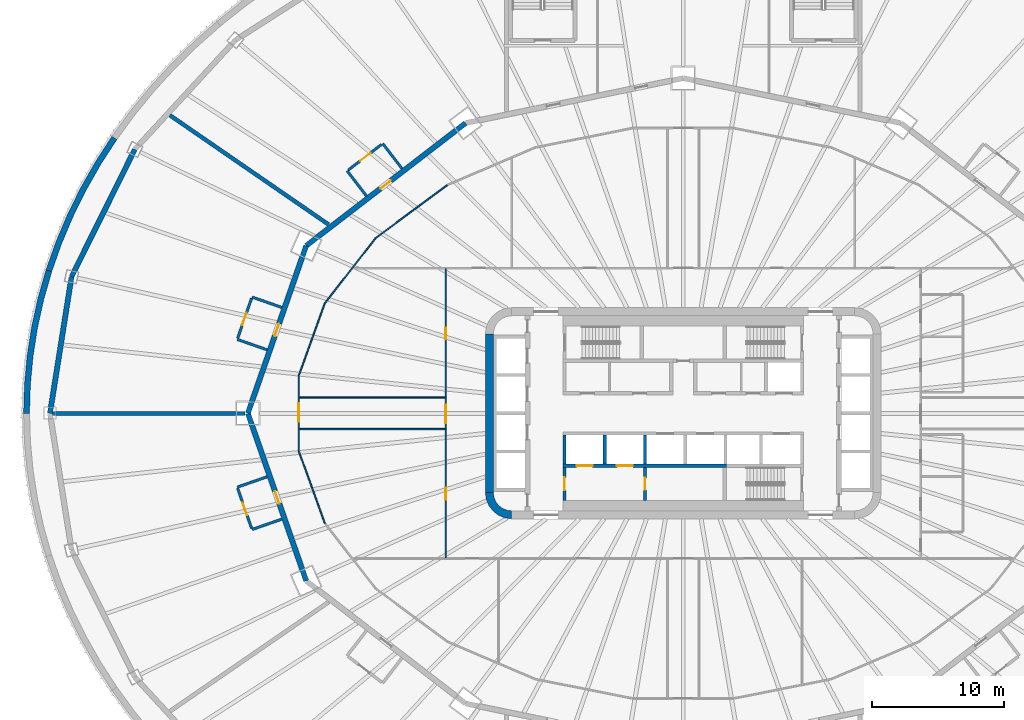
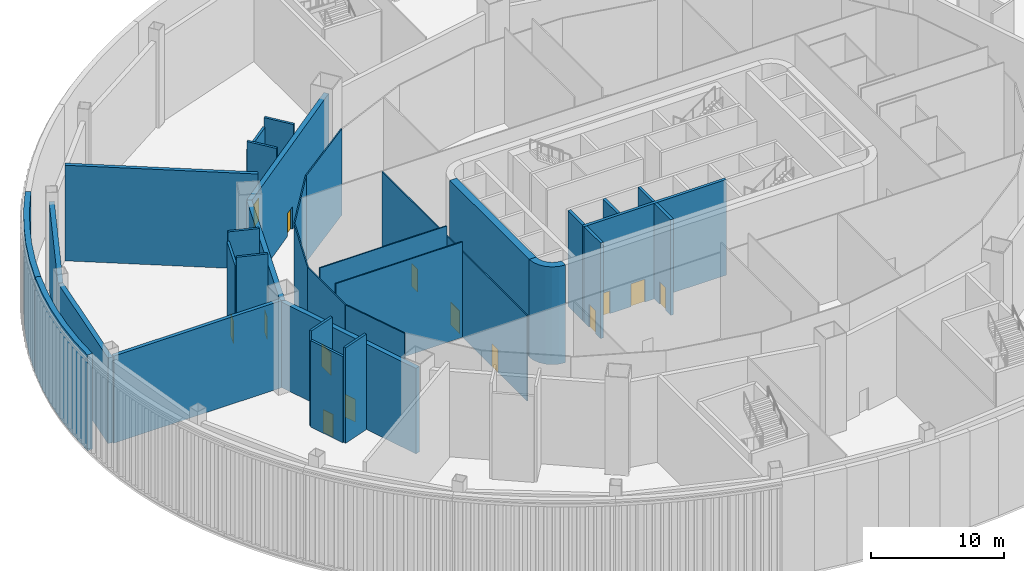
# One storey, part 8 of 35: 34 walls, 14 doors, 14 openings.
"""IFC4 building model written with IfcOpenShell, lengths in metres."""

from ifc_helpers import new_model, si_unit, direction, frame, frame_2d, origin, place, context, subcontext, project, spatial, polyline, rectangle, outline, extrude, material, layer, layer_set, type_object, element, fill, save


model = new_model("IFC4")

# Units and contexts
model_context = context("Model", 3, precision=1e-05, world=origin(), true_north=direction((0.0, 1.0)))
body_context = subcontext(model_context, "Body", "Model", "MODEL_VIEW")
ifc_project = project(units=[si_unit("LENGTHUNIT", "METRE"), si_unit("AREAUNIT", "SQUARE_METRE"), si_unit("VOLUMEUNIT", "CUBIC_METRE"), si_unit("PLANEANGLEUNIT", "RADIAN"), si_unit("MASSUNIT", "GRAM", prefix="KILO")], contexts=[model_context])

# Site, building, storey
site_placement = place(None, origin())
site = spatial("IfcSite", under=ifc_project, at=site_placement, CompositionType="ELEMENT")
building_placement = place(site_placement, origin())
building = spatial("IfcBuilding", under=site, at=building_placement, Name="Sahrelin Media Tower", CompositionType="ELEMENT")
storey_placement = place(building_placement, frame((0.0, 0.0, 8.0)))
storey = spatial("IfcBuildingStorey", under=building, at=storey_placement, Name="L01", CompositionType="ELEMENT", Elevation=8.0)

# Walls
ifc_material_1 = material(Name="Concrete C60/75", Category="concrete")
ifc_layer_1 = layer(ifc_material_1, 0.60009765625)
ifc_layer_set_1 = layer_set([ifc_layer_1], Name="Core wall 600")
wall_type_1 = type_object("IfcWallType", Name="Core wall 600", PredefinedType="SHEAR", material=ifc_layer_set_1)
wall_1_placement = place(storey_placement, frame((-14.699951171875, -6.0, 0.0), z_axis=(0.0, 0.0, 1.0), x_axis=(0.0, 1.0, 0.0)))
element("IfcWall", 1, at=wall_1_placement, inside=storey, type_object=wall_type_1, Name="Core wall W L01", PredefinedType="SHEAR", context=body_context, shape_type="SweptSolid", body=[
    extrude(rectangle(XDim=12.0, YDim=0.60009765625, at=frame_2d((6.0, 0.0))), origin(), (0.0, 0.0, 1.0), 9.0),
])
placement = place(storey_placement, origin())
element("IfcWall", 2, at=placement, inside=storey, type_object=wall_type_1, Name="Core wall corner SW L01", PredefinedType="SHEAR", context=body_context, shape_type="SweptSolid", body=[
    extrude(outline(polyline([(-13.0, -8.0), (-13.0, -7.394775390625), (-13.361083984375, -7.347412109375), (-13.697509765625, -7.2080078125), (-13.986328125, -6.986328125), (-14.2080078125, -6.697509765625), (-14.347412109375, -6.361083984375), (-14.394775390625, -6.0), (-15.0, -6.0), (-14.931884765625, -6.517578125), (-14.732177734375, -7.0), (-14.414306640625, -7.414306640625), (-14.0, -7.732177734375), (-13.517578125, -7.931884765625), (-13.0, -8.0)])), origin(), (0.0, 0.0, 1.0), 9.0),
])
ifc_material_2 = material(Name="Fire-rated gypsum board partition")
ifc_layer_2 = layer(ifc_material_2, 0.199951171875)
ifc_layer_set_2 = layer_set([ifc_layer_2], Name="Fire-rated partition 200")
wall_type_2 = type_object("IfcWallType", Name="Fire-rated partition 200", PredefinedType="PARTITIONING", material=ifc_layer_set_2)
for number, where, z_axis, x_axis, name in (
    (3, (-21.314208984375, 18.5439453125, 0.0), (0.0, 0.0, 1.0), (-0.609946706972, 0.792442436177, 0.0), "Wall"),
    (4, (-24.008544921875, 16.47021484375, 0.0), (0.0, 0.0, 1.0), (-0.609946706972, 0.792442436177, 0.0), "Wall"),
):
    element("IfcWall", number, at=place(storey_placement, frame(where, z_axis=z_axis, x_axis=x_axis)), inside=storey, type_object=wall_type_2, Name=name, PredefinedType="PARTITIONING", context=body_context, shape_type="SweptSolid", body=[
        extrude(rectangle(XDim=2.39990234375, YDim=0.199951171875, at=frame_2d((1.199951171875, 0.0))), origin(), (0.0, 0.0, 1.0), 8.800048828125),
    ])

# Wall, opening, door
wall_3_placement = place(storey_placement, frame((-22.857421875, 20.384765625, 0.0), z_axis=(0.0, 0.0, 1.0), x_axis=(-0.792476481098, -0.609902473274, 0.0)))
wall_3 = element("IfcWall", 5, at=wall_3_placement, inside=storey, type_object=wall_type_2, Name="Wall", PredefinedType="PARTITIONING", context=body_context, shape_type="SweptSolid", body=[
    extrude(rectangle(XDim=3.199951171875, YDim=0.199951171875, at=frame_2d((1.60009765625, 0.0))), origin(), (0.0, 0.0, 1.0), 7.945068359375),
])
opening_1_placement = place(wall_3_placement, frame((1.050048828125, 0.0, 0.0)))
opening_1 = element("IfcOpeningElement", 6, at=opening_1_placement, cuts=wall_3, Name="Opening L01-D62", PredefinedType="OPENING", context=body_context, shape_type="SweptSolid", body=[
    extrude(rectangle(XDim=1.0, YDim=2.10009765625, at=frame_2d((0.5, 1.050048828125))), frame((0.0, 0.10009765625, 0.0), z_axis=(0.0, -1.0, 0.0), x_axis=(1.0, 0.0, 0.0)), (0.0, 0.0, 1.0), 0.199951171875),
])
ifc_material_3 = material(Name="Steel fire door leaf", Category="steel")
door_type_1 = type_object("IfcDoorType", Name="Fire door 1000 x 2100 EI 60", OperationType="NOTDEFINED", PredefinedType="DOOR", material=ifc_material_3)
door_1_placement = place(opening_1_placement, origin())
door_1 = element("IfcDoor", 7, at=door_1_placement, inside=storey, type_object=door_type_1, Name="Fire door", OperationType="SINGLE_SWING_LEFT", OverallHeight=2.10009765625, OverallWidth=1.0, PredefinedType="DOOR", context=body_context, shape_type="SweptSolid", body=[
    extrude(rectangle(XDim=1.0, YDim=2.10009765625, at=frame_2d((0.5, 1.050048828125))), frame((0.0, 0.02490234375, 0.0), z_axis=(0.0, -1.0, 0.0), x_axis=(1.0, 0.0, 0.0)), (0.0, 0.0, 1.0), 0.050048828125),
])
fill(opening_1, door_1)

# Walls
for number, where, z_axis, x_axis, name in (
    (8, (-30.41943359375, 8.021240234375, 0.0), (0.0, 0.0, 1.0), (-0.94440893349, 0.328773122904, 0.0), "Wall"),
    (9, (-31.537109375, 4.810302734375, 0.0), (0.0, 0.0, 1.0), (-0.94440893349, 0.328773122904, 0.0), "Wall"),
):
    element("IfcWall", number, at=place(storey_placement, frame(where, z_axis=z_axis, x_axis=x_axis)), inside=storey, type_object=wall_type_2, Name=name, PredefinedType="PARTITIONING", context=body_context, shape_type="SweptSolid", body=[
        extrude(rectangle(XDim=2.39990234375, YDim=0.199951171875, at=frame_2d((1.199951171875, 0.0))), origin(), (0.0, 0.0, 1.0), 8.800048828125),
    ])

# Wall, opening, door
wall_4_placement = place(storey_placement, frame((-32.718994140625, 8.7158203125, 0.0), z_axis=(0.0, 0.0, 1.0), x_axis=(-0.328742544754, -0.944419577978, 0.0)))
wall_4 = element("IfcWall", 10, at=wall_4_placement, inside=storey, type_object=wall_type_2, Name="Wall", PredefinedType="PARTITIONING", context=body_context, shape_type="SweptSolid", body=[
    extrude(rectangle(XDim=3.2001953125, YDim=0.199951171875, at=frame_2d((1.60009765625, 0.0))), origin(), (0.0, 0.0, 1.0), 7.945068359375),
])
opening_2_placement = place(wall_4_placement, frame((1.14990234375, 0.0, 0.0)))
opening_2 = element("IfcOpeningElement", 11, at=opening_2_placement, cuts=wall_4, Name="Opening L01-D64", PredefinedType="OPENING", context=body_context, shape_type="SweptSolid", body=[
    extrude(rectangle(XDim=1.0, YDim=2.10009765625, at=frame_2d((0.5, 1.050048828125))), frame((0.0, 0.10009765625, 0.0), z_axis=(0.0, -1.0, 0.0), x_axis=(1.0, 0.0, 0.0)), (0.0, 0.0, 1.0), 0.199951171875),
])
door_2_placement = place(opening_2_placement, origin())
door_2 = element("IfcDoor", 12, at=door_2_placement, inside=storey, type_object=door_type_1, Name="Fire door", OperationType="SINGLE_SWING_RIGHT", OverallHeight=2.10009765625, OverallWidth=1.0, PredefinedType="DOOR", context=body_context, shape_type="SweptSolid", body=[
    extrude(rectangle(XDim=1.0, YDim=2.10009765625, at=frame_2d((0.5, 1.050048828125))), frame((0.0, 0.02490234375, 0.0), z_axis=(0.0, -1.0, 0.0), x_axis=(1.0, 0.0, 0.0)), (0.0, 0.0, 1.0), 0.050048828125),
])
fill(opening_2, door_2)

# Walls
for number, where, z_axis, x_axis, name in (
    (13, (-31.537109375, -4.810302734375, 0.0), (0.0, 0.0, 1.0), (-0.94440893349, -0.328773122904, 0.0), "Wall"),
    (14, (-30.41943359375, -8.021240234375, 0.0), (0.0, 0.0, 1.0), (-0.94440893349, -0.328773122904, 0.0), "Wall"),
):
    element("IfcWall", number, at=place(storey_placement, frame(where, z_axis=z_axis, x_axis=x_axis)), inside=storey, type_object=wall_type_2, Name=name, PredefinedType="PARTITIONING", context=body_context, shape_type="SweptSolid", body=[
        extrude(rectangle(XDim=2.39990234375, YDim=0.199951171875, at=frame_2d((1.199951171875, 0.0))), origin(), (0.0, 0.0, 1.0), 8.800048828125),
    ])

# Wall, opening, door
wall_5_placement = place(storey_placement, frame((-33.77099609375, -5.693603515625, 0.0), z_axis=(0.0, 0.0, 1.0), x_axis=(0.328742544754, -0.944419577978, 0.0)))
wall_5 = element("IfcWall", 15, at=wall_5_placement, inside=storey, type_object=wall_type_2, Name="Wall", PredefinedType="PARTITIONING", context=body_context, shape_type="SweptSolid", body=[
    extrude(rectangle(XDim=3.2001953125, YDim=0.199951171875, at=frame_2d((1.60009765625, 0.0))), origin(), (0.0, 0.0, 1.0), 7.945068359375),
])
opening_3_placement = place(wall_5_placement, frame((1.14990234375, 0.0, 0.0)))
opening_3 = element("IfcOpeningElement", 16, at=opening_3_placement, cuts=wall_5, Name="Opening L01-D66", PredefinedType="OPENING", context=body_context, shape_type="SweptSolid", body=[
    extrude(rectangle(XDim=1.0, YDim=2.10009765625, at=frame_2d((0.5, 1.050048828125))), frame((0.0, 0.10009765625, 0.0), z_axis=(0.0, -1.0, 0.0), x_axis=(1.0, 0.0, 0.0)), (0.0, 0.0, 1.0), 0.199951171875),
])
door_3_placement = place(opening_3_placement, origin())
door_3 = element("IfcDoor", 17, at=door_3_placement, inside=storey, type_object=door_type_1, Name="Fire door", OperationType="SINGLE_SWING_RIGHT", OverallHeight=2.10009765625, OverallWidth=1.0, PredefinedType="DOOR", context=body_context, shape_type="SweptSolid", body=[
    extrude(rectangle(XDim=1.0, YDim=2.10009765625, at=frame_2d((0.5, 1.050048828125))), frame((0.0, 0.02490234375, 0.0), z_axis=(0.0, -1.0, 0.0), x_axis=(1.0, 0.0, 0.0)), (0.0, 0.0, 1.0), 0.050048828125),
])
fill(opening_3, door_3)

# Walls
ifc_layer_3 = layer(ifc_material_2, 0.300048828125)
ifc_layer_set_3 = layer_set([ifc_layer_3], Name="Fire-rated partition 300")
wall_type_3 = type_object("IfcWallType", Name="Fire-rated partition 300", PredefinedType="PARTITIONING", material=ifc_layer_set_3)
wall_6_placement = place(storey_placement, frame((-26.887939453125, 14.31201171875, 0.0), z_axis=(0.0, 0.0, 1.0), x_axis=(-0.823646474485, 0.567103592889, 0.0)))
element("IfcWall", 18, at=wall_6_placement, inside=storey, type_object=wall_type_3, Name="Wall", PredefinedType="PARTITIONING", context=body_context, shape_type="SweptSolid", body=[
    extrude(rectangle(XDim=14.598388671875, YDim=0.300048828125, at=frame_2d((7.29931640625, 0.0))), origin(), (0.0, 0.0, 1.0), 8.800048828125),
])
wall_7_placement = place(storey_placement, frame((-33.199951171875, 0.0, 0.0), z_axis=(0.0, 0.0, 1.0), x_axis=(-1.0, 0.0, 0.0)))
element("IfcWall", 19, at=wall_7_placement, inside=storey, type_object=wall_type_3, Name="Wall", PredefinedType="PARTITIONING", context=body_context, shape_type="SweptSolid", body=[
    extrude(rectangle(XDim=14.59765625, YDim=0.300048828125, at=frame_2d((7.298828125, 0.0))), origin(), (0.0, 0.0, 1.0), 8.02587890625),
])
ifc_layer_4 = layer(ifc_material_2, 0.39990234375)
ifc_layer_set_4 = layer_set([ifc_layer_4], Name="Fire-rated partition 400")
wall_type_4 = type_object("IfcWallType", Name="Fire-rated partition 400", PredefinedType="PARTITIONING", material=ifc_layer_set_4)
wall_8_placement = place(storey_placement, frame((-41.569091796875, 20.0, 0.0), z_axis=(0.0, 0.0, 1.0), x_axis=(-0.445118441463, -0.895471704226, 0.0)))
element("IfcWall", 20, at=wall_8_placement, inside=storey, type_object=wall_type_4, Name="Wall", PredefinedType="PARTITIONING", context=body_context, shape_type="SweptSolid", body=[
    extrude(rectangle(XDim=10.7734375, YDim=0.39990234375, at=frame_2d((5.38671875, 0.0))), origin(), (0.0, 0.0, 1.0), 7.876953125),
])
wall_9_placement = place(storey_placement, frame((-46.364501953125, 10.352783203125, 0.0), z_axis=(0.0, 0.0, 1.0), x_axis=(-0.156041518224, -0.987750497135, 0.0)))
element("IfcWall", 21, at=wall_9_placement, inside=storey, type_object=wall_type_4, Name="Wall", PredefinedType="PARTITIONING", context=body_context, shape_type="SweptSolid", body=[
    extrude(rectangle(XDim=10.481201171875, YDim=0.39990234375, at=frame_2d((5.24072265625, 0.0))), origin(), (0.0, 0.0, 1.0), 7.876953125),
])

# Wall, opening, door
wall_10_placement = place(storey_placement, frame((-16.5, 21.9970703125, 0.0), z_axis=(0.0, 0.0, 1.0), x_axis=(-0.792443539308, -0.609945273782, 0.0)))
wall_10 = element("IfcWall", 22, at=wall_10_placement, inside=storey, type_object=wall_type_4, Name="Wall", PredefinedType="PARTITIONING", context=body_context, shape_type="SweptSolid", body=[
    extrude(rectangle(XDim=15.242431640625, YDim=0.39990234375, at=frame_2d((7.62109375, 0.0))), origin(), (0.0, 0.0, 1.0), 7.8681640625),
])
opening_4_placement = place(wall_10_placement, frame((7.14990234375, 0.0, 0.0)))
opening_4 = element("IfcOpeningElement", 23, at=opening_4_placement, cuts=wall_10, Name="Opening L01-D61", PredefinedType="OPENING", context=body_context, shape_type="SweptSolid", body=[
    extrude(rectangle(XDim=1.0, YDim=2.10009765625, at=frame_2d((0.5, 1.050048828125))), frame((0.0, 0.199951171875, 0.0), z_axis=(0.0, -1.0, 0.0), x_axis=(1.0, 0.0, 0.0)), (0.0, 0.0, 1.0), 0.39990234375),
])
door_4_placement = place(opening_4_placement, origin())
door_4 = element("IfcDoor", 24, at=door_4_placement, inside=storey, type_object=door_type_1, Name="Fire door", OperationType="SINGLE_SWING_RIGHT", OverallHeight=2.10009765625, OverallWidth=1.0, PredefinedType="DOOR", context=body_context, shape_type="SweptSolid", body=[
    extrude(rectangle(XDim=1.0, YDim=2.10009765625, at=frame_2d((0.5, 1.050048828125))), frame((0.0, 0.02490234375, 0.0), z_axis=(0.0, -1.0, 0.0), x_axis=(1.0, 0.0, 0.0)), (0.0, 0.0, 1.0), 0.050048828125),
])
fill(opening_4, door_4)

wall_11_placement = place(storey_placement, frame((-28.578857421875, 12.699951171875, 0.0), z_axis=(0.0, 0.0, 1.0), x_axis=(-0.328770590399, -0.944409815117, 0.0)))
wall_11 = element("IfcWall", 25, at=wall_11_placement, inside=storey, type_object=wall_type_4, Name="Wall", PredefinedType="PARTITIONING", context=body_context, shape_type="SweptSolid", body=[
    extrude(rectangle(XDim=13.447509765625, YDim=0.39990234375, at=frame_2d((6.7236328125, 0.0))), origin(), (0.0, 0.0, 1.0), 7.8681640625),
])
opening_5_placement = place(wall_11_placement, frame((6.25, 0.0, 0.0)))
opening_5 = element("IfcOpeningElement", 26, at=opening_5_placement, cuts=wall_11, Name="Opening L01-D63", PredefinedType="OPENING", context=body_context, shape_type="SweptSolid", body=[
    extrude(rectangle(XDim=1.0, YDim=2.10009765625, at=frame_2d((0.5, 1.050048828125))), frame((0.0, 0.199951171875, 0.0), z_axis=(0.0, -1.0, 0.0), x_axis=(1.0, 0.0, 0.0)), (0.0, 0.0, 1.0), 0.39990234375),
])
door_5_placement = place(opening_5_placement, origin())
door_5 = element("IfcDoor", 27, at=door_5_placement, inside=storey, type_object=door_type_1, Name="Fire door", OperationType="SINGLE_SWING_RIGHT", OverallHeight=2.10009765625, OverallWidth=1.0, PredefinedType="DOOR", context=body_context, shape_type="SweptSolid", body=[
    extrude(rectangle(XDim=1.0, YDim=2.10009765625, at=frame_2d((0.5, 1.050048828125))), frame((0.0, 0.02490234375, 0.0), z_axis=(0.0, -1.0, 0.0), x_axis=(1.0, 0.0, 0.0)), (0.0, 0.0, 1.0), 0.050048828125),
])
fill(opening_5, door_5)

wall_12_placement = place(storey_placement, frame((-33.0, 0.0, 0.0), z_axis=(0.0, 0.0, 1.0), x_axis=(0.328770590399, -0.944409815117, 0.0)))
wall_12 = element("IfcWall", 28, at=wall_12_placement, inside=storey, type_object=wall_type_4, Name="Wall", PredefinedType="PARTITIONING", context=body_context, shape_type="SweptSolid", body=[
    extrude(rectangle(XDim=13.447509765625, YDim=0.39990234375, at=frame_2d((6.7236328125, 0.0))), origin(), (0.0, 0.0, 1.0), 7.8681640625),
])
opening_6_placement = place(wall_12_placement, frame((6.25, 0.0, 0.0)))
opening_6 = element("IfcOpeningElement", 29, at=opening_6_placement, cuts=wall_12, Name="Opening L01-D65", PredefinedType="OPENING", context=body_context, shape_type="SweptSolid", body=[
    extrude(rectangle(XDim=1.0, YDim=2.10009765625, at=frame_2d((0.5, 1.050048828125))), frame((0.0, 0.199951171875, 0.0), z_axis=(0.0, -1.0, 0.0), x_axis=(1.0, 0.0, 0.0)), (0.0, 0.0, 1.0), 0.39990234375),
])
door_6_placement = place(opening_6_placement, origin())
door_6 = element("IfcDoor", 30, at=door_6_placement, inside=storey, type_object=door_type_1, Name="Fire door", OperationType="SINGLE_SWING_RIGHT", OverallHeight=2.10009765625, OverallWidth=1.0, PredefinedType="DOOR", context=body_context, shape_type="SweptSolid", body=[
    extrude(rectangle(XDim=1.0, YDim=2.10009765625, at=frame_2d((0.5, 1.050048828125))), frame((0.0, 0.02490234375, 0.0), z_axis=(0.0, -1.0, 0.0), x_axis=(1.0, 0.0, 0.0)), (0.0, 0.0, 1.0), 0.050048828125),
])
fill(opening_6, door_6)

ifc_layer_5 = layer(ifc_material_2, 0.25)
ifc_layer_set_5 = layer_set([ifc_layer_5], Name="Firefighting lobby wall 250")
wall_type_5 = type_object("IfcWallType", Name="Firefighting lobby wall 250", PredefinedType="PARTITIONING", material=ifc_layer_set_5)
wall_13_placement = place(storey_placement, frame((-9.0, -6.60009765625, 0.0), z_axis=(0.0, 0.0, 1.0), x_axis=(0.0, 1.0, 0.0)))
wall_13 = element("IfcWall", 31, at=wall_13_placement, inside=storey, type_object=wall_type_5, Name="Core wall", PredefinedType="PARTITIONING", context=body_context, shape_type="SweptSolid", body=[
    extrude(rectangle(XDim=2.5, YDim=0.25, at=frame_2d((1.25, 0.0))), origin(), (0.0, 0.0, 1.0), 8.800048828125),
])
opening_7_placement = place(wall_13_placement, frame((0.75, 0.0, 0.0)))
opening_7 = element("IfcOpeningElement", 32, at=opening_7_placement, cuts=wall_13, Name="Opening L01-D04", PredefinedType="OPENING", context=body_context, shape_type="SweptSolid", body=[
    extrude(rectangle(XDim=1.0, YDim=2.10009765625, at=frame_2d((0.5, 1.050048828125))), frame((0.0, 0.125, 0.0), z_axis=(0.0, -1.0, 0.0), x_axis=(1.0, 0.0, 0.0)), (0.0, 0.0, 1.0), 0.25),
])
door_type_2 = type_object("IfcDoorType", Name="Firefighting lobby door 1000 x 2100 EI 120", OperationType="NOTDEFINED", PredefinedType="DOOR", material=ifc_material_3)
door_7_placement = place(opening_7_placement, origin())
door_7 = element("IfcDoor", 33, at=door_7_placement, inside=storey, type_object=door_type_2, Name="Firefighting lobby door", OperationType="SINGLE_SWING_LEFT", OverallHeight=2.10009765625, OverallWidth=1.0, PredefinedType="DOOR", context=body_context, shape_type="SweptSolid", body=[
    extrude(rectangle(XDim=1.0, YDim=2.10009765625, at=frame_2d((0.5, 1.050048828125))), frame((0.0, 0.02490234375, 0.0), z_axis=(0.0, -1.0, 0.0), x_axis=(1.0, 0.0, 0.0)), (0.0, 0.0, 1.0), 0.050048828125),
])
fill(opening_7, door_7)

wall_14_placement = place(storey_placement, frame((-2.89990234375, -6.60009765625, 0.0), z_axis=(0.0, 0.0, 1.0), x_axis=(0.0, 1.0, 0.0)))
wall_14 = element("IfcWall", 34, at=wall_14_placement, inside=storey, type_object=wall_type_5, Name="Core wall", PredefinedType="PARTITIONING", context=body_context, shape_type="SweptSolid", body=[
    extrude(rectangle(XDim=2.5, YDim=0.25, at=frame_2d((1.25, 0.0))), origin(), (0.0, 0.0, 1.0), 8.800048828125),
])
opening_8_placement = place(wall_14_placement, frame((0.800048828125, 0.0, 0.0)))
opening_8 = element("IfcOpeningElement", 35, at=opening_8_placement, cuts=wall_14, Name="Opening L01-D05", PredefinedType="OPENING", context=body_context, shape_type="SweptSolid", body=[
    extrude(rectangle(XDim=0.89990234375, YDim=2.10009765625, at=frame_2d((0.449951171875, 1.050048828125))), frame((0.0, 0.125, 0.0), z_axis=(0.0, -1.0, 0.0), x_axis=(1.0, 0.0, 0.0)), (0.0, 0.0, 1.0), 0.25),
])
door_type_3 = type_object("IfcDoorType", Name="Firefighting lobby door 900 x 2100 EI 120", OperationType="NOTDEFINED", PredefinedType="DOOR", material=ifc_material_3)
door_8_placement = place(opening_8_placement, origin())
door_8 = element("IfcDoor", 36, at=door_8_placement, inside=storey, type_object=door_type_3, Name="Riser door", OperationType="SINGLE_SWING_RIGHT", OverallHeight=2.10009765625, OverallWidth=0.89990234375, PredefinedType="DOOR", context=body_context, shape_type="SweptSolid", body=[
    extrude(rectangle(XDim=0.89990234375, YDim=2.10009765625, at=frame_2d((0.449951171875, 1.050048828125))), frame((0.0, 0.02490234375, 0.0), z_axis=(0.0, -1.0, 0.0), x_axis=(1.0, 0.0, 0.0)), (0.0, 0.0, 1.0), 0.050048828125),
])
fill(opening_8, door_8)

# Wall, openings, doors
ifc_layer_6 = layer(ifc_material_1, 0.25)
ifc_layer_set_6 = layer_set([ifc_layer_6], Name="Lift shaft wall 250")
wall_type_6 = type_object("IfcWallType", Name="Lift shaft wall 250", PredefinedType="SOLIDWALL", material=ifc_layer_set_6)
wall_15_placement = place(storey_placement, frame((-9.125, -3.97509765625, 0.0), z_axis=(0.0, 0.0, 1.0), x_axis=(1.0, 0.0, 0.0)))
wall_15 = element("IfcWall", 37, at=wall_15_placement, inside=storey, type_object=wall_type_6, Name="Lift shaft wall", PredefinedType="SOLIDWALL", context=body_context, shape_type="SweptSolid", body=[
    extrude(rectangle(XDim=12.39990234375, YDim=0.25, at=frame_2d((6.199951171875, 0.0))), origin(), (0.0, 0.0, 1.0), 8.800048828125),
])
opening_9_placement = place(wall_15_placement, frame((1.050048828125, 0.0, 0.0)))
opening_9 = element("IfcOpeningElement", 38, at=opening_9_placement, cuts=wall_15, Name="Opening L01-LD-FF1", PredefinedType="OPENING", context=body_context, shape_type="SweptSolid", body=[
    extrude(rectangle(XDim=1.199951171875, YDim=2.10009765625, at=frame_2d((0.60009765625, 1.050048828125))), frame((0.0, 0.125, 0.0), z_axis=(0.0, -1.0, 0.0), x_axis=(1.0, 0.0, 0.0)), (0.0, 0.0, 1.0), 0.25),
])
opening_10_placement = place(wall_15_placement, frame((4.10009765625, 0.0, 0.0)))
opening_10 = element("IfcOpeningElement", 39, at=opening_10_placement, cuts=wall_15, Name="Opening L01-LD-FF2", PredefinedType="OPENING", context=body_context, shape_type="SweptSolid", body=[
    extrude(rectangle(XDim=1.199951171875, YDim=2.10009765625, at=frame_2d((0.60009765625, 1.050048828125))), frame((0.0, 0.125, 0.0), z_axis=(0.0, -1.0, 0.0), x_axis=(1.0, 0.0, 0.0)), (0.0, 0.0, 1.0), 0.25),
])
ifc_material_4 = material(Name="Stainless steel", Category="steel")
door_type_4 = type_object("IfcDoorType", Name="Lift landing door 1200 x 2100 EI 120", OperationType="DOUBLE_DOOR_SLIDING", PredefinedType="DOOR", material=ifc_material_4)
door_9_placement = place(opening_9_placement, origin())
door_9 = element("IfcDoor", 40, at=door_9_placement, inside=storey, type_object=door_type_4, Name="Lift landing door FF1", OperationType="DOUBLE_DOOR_SLIDING", OverallHeight=2.10009765625, OverallWidth=1.199951171875, PredefinedType="DOOR", context=body_context, shape_type="SweptSolid", body=[
    extrude(rectangle(XDim=1.199951171875, YDim=2.10009765625, at=frame_2d((0.60009765625, 1.050048828125))), frame((0.0, 0.02490234375, 0.0), z_axis=(0.0, -1.0, 0.0), x_axis=(1.0, 0.0, 0.0)), (0.0, 0.0, 1.0), 0.050048828125),
])
fill(opening_9, door_9)
door_10_placement = place(opening_10_placement, origin())
door_10 = element("IfcDoor", 41, at=door_10_placement, inside=storey, type_object=door_type_4, Name="Lift landing door FF2", OperationType="DOUBLE_DOOR_SLIDING", OverallHeight=2.10009765625, OverallWidth=1.199951171875, PredefinedType="DOOR", context=body_context, shape_type="SweptSolid", body=[
    extrude(rectangle(XDim=1.199951171875, YDim=2.10009765625, at=frame_2d((0.60009765625, 1.050048828125))), frame((0.0, 0.02490234375, 0.0), z_axis=(0.0, -1.0, 0.0), x_axis=(1.0, 0.0, 0.0)), (0.0, 0.0, 1.0), 0.050048828125),
])
fill(opening_10, door_10)

# Walls
for number, where, z_axis, x_axis, name in (
    (42, (-9.0, -3.85009765625, 0.0), (0.0, 0.0, 1.0), (0.0, 1.0, 0.0), "Lift shaft wall"),
    (43, (-5.949951171875, -3.85009765625, 0.0), (0.0, 0.0, 1.0), (0.0, 1.0, 0.0), "Lift shaft wall"),
    (44, (-2.89990234375, -3.85009765625, 0.0), (0.0, 0.0, 1.0), (0.0, 1.0, 0.0), "Lift shaft wall"),
):
    element("IfcWall", number, at=place(storey_placement, frame(where, z_axis=z_axis, x_axis=x_axis)), inside=storey, type_object=wall_type_6, Name=name, PredefinedType="SOLIDWALL", context=body_context, shape_type="SweptSolid", body=[
        extrude(rectangle(XDim=2.2001953125, YDim=0.25, at=frame_2d((1.10009765625, 0.0))), origin(), (0.0, 0.0, 1.0), 8.800048828125),
    ])
ifc_material_5 = material(Name="Gypsum board partition")
ifc_layer_7 = layer(ifc_material_5, 0.10009765625)
ifc_layer_set_7 = layer_set([ifc_layer_7], Name="Partition 100")
wall_type_7 = type_object("IfcWallType", Name="Partition 100", PredefinedType="PARTITIONING", material=ifc_layer_set_7)
wall_16_placement = place(storey_placement, frame((-17.897705078125, 17.295166015625, 0.0), z_axis=(0.0, 0.0, 1.0), x_axis=(-0.803261991148, -0.595625867115, 0.0)))
element("IfcWall", 45, at=wall_16_placement, inside=storey, type_object=wall_type_7, Name="Wall", PredefinedType="PARTITIONING", context=body_context, shape_type="SweptSolid", body=[
    extrude(rectangle(XDim=6.756103515625, YDim=0.10009765625, at=frame_2d((3.3779296875, 0.0))), origin(), (0.0, 0.0, 1.0), 7.945068359375),
])
wall_17_placement = place(storey_placement, frame((-23.32470703125, 13.27099609375, 0.0), z_axis=(0.0, 0.0, 1.0), x_axis=(-0.614354540541, -0.78903009988, 0.0)))
element("IfcWall", 46, at=wall_17_placement, inside=storey, type_object=wall_type_7, Name="Wall", PredefinedType="PARTITIONING", context=body_context, shape_type="SweptSolid", body=[
    extrude(rectangle(XDim=6.246337890625, YDim=0.10009765625, at=frame_2d((3.123046875, 0.0))), origin(), (0.0, 0.0, 1.0), 7.945068359375),
])
wall_18_placement = place(storey_placement, frame((-27.162109375, 8.342529296875, 0.0), z_axis=(0.0, 0.0, 1.0), x_axis=(-0.339837423604, -0.940484197378, 0.0)))
element("IfcWall", 47, at=wall_18_placement, inside=storey, type_object=wall_type_7, Name="Wall", PredefinedType="PARTITIONING", context=body_context, shape_type="SweptSolid", body=[
    extrude(rectangle(XDim=5.844970703125, YDim=0.10009765625, at=frame_2d((2.92236328125, 0.0))), origin(), (0.0, 0.0, 1.0), 7.876953125),
])

# Wall, opening, door
wall_19_placement = place(storey_placement, frame((-29.1484375, 2.845458984375, 0.0), z_axis=(0.0, 0.0, 1.0), x_axis=(0.0, -1.0, 0.0)))
wall_19 = element("IfcWall", 48, at=wall_19_placement, inside=storey, type_object=wall_type_7, Name="Wall", PredefinedType="PARTITIONING", context=body_context, shape_type="SweptSolid", body=[
    extrude(rectangle(XDim=5.69091796875, YDim=0.10009765625, at=frame_2d((2.845458984375, 0.0))), origin(), (0.0, 0.0, 1.0), 7.876953125),
])
opening_11_placement = place(wall_19_placement, frame((2.10009765625, 0.0, 0.0)))
opening_11 = element("IfcOpeningElement", 49, at=opening_11_placement, cuts=wall_19, Name="Opening L01-D51", PredefinedType="OPENING", context=body_context, shape_type="SweptSolid", body=[
    extrude(rectangle(XDim=1.39990234375, YDim=2.10009765625, at=frame_2d((0.699951171875, 1.050048828125))), frame((0.0, 0.050048828125, 0.0), z_axis=(0.0, -1.0, 0.0), x_axis=(1.0, 0.0, 0.0)), (0.0, 0.0, 1.0), 0.10009765625),
])
ifc_material_6 = material(Name="Timber door leaf", Category="wood")
door_type_5 = type_object("IfcDoorType", Name="Single door 1400 x 2100", OperationType="NOTDEFINED", PredefinedType="DOOR", material=ifc_material_6)
door_11_placement = place(opening_11_placement, origin())
door_11 = element("IfcDoor", 50, at=door_11_placement, inside=storey, type_object=door_type_5, Name="Single door", OperationType="SINGLE_SWING_LEFT", OverallHeight=2.10009765625, OverallWidth=1.39990234375, PredefinedType="DOOR", context=body_context, shape_type="SweptSolid", body=[
    extrude(rectangle(XDim=1.39990234375, YDim=2.10009765625, at=frame_2d((0.699951171875, 1.050048828125))), frame((0.0, 0.02490234375, 0.0), z_axis=(0.0, -1.0, 0.0), x_axis=(1.0, 0.0, 0.0)), (0.0, 0.0, 1.0), 0.050048828125),
])
fill(opening_11, door_11)

# Wall
wall_20_placement = place(storey_placement, frame((-29.1484375, -2.845458984375, 0.0), z_axis=(0.0, 0.0, 1.0), x_axis=(0.339837423604, -0.940484197378, 0.0)))
element("IfcWall", 51, at=wall_20_placement, inside=storey, type_object=wall_type_7, Name="Wall", PredefinedType="PARTITIONING", context=body_context, shape_type="SweptSolid", body=[
    extrude(rectangle(XDim=5.844970703125, YDim=0.10009765625, at=frame_2d((2.92236328125, 0.0))), origin(), (0.0, 0.0, 1.0), 7.876953125),
])

# Wall, openings, doors
wall_21_placement = place(storey_placement, frame((-18.0, -10.949951171875, 0.0), z_axis=(0.0, 0.0, 1.0), x_axis=(0.0, 1.0, 0.0)))
wall_21 = element("IfcWall", 52, at=wall_21_placement, inside=storey, type_object=wall_type_7, Name="Wall", PredefinedType="PARTITIONING", context=body_context, shape_type="SweptSolid", body=[
    extrude(rectangle(XDim=21.89990234375, YDim=0.10009765625, at=frame_2d((10.949951171875, 0.0))), origin(), (0.0, 0.0, 1.0), 7.876953125),
])
opening_12_placement = place(wall_21_placement, frame((4.39990234375, 0.0, 0.0)))
opening_12 = element("IfcOpeningElement", 53, at=opening_12_placement, cuts=wall_21, Name="Opening L01-D49", PredefinedType="OPENING", context=body_context, shape_type="SweptSolid", body=[
    extrude(rectangle(XDim=0.89990234375, YDim=2.10009765625, at=frame_2d((0.449951171875, 1.050048828125))), frame((0.0, 0.050048828125, 0.0), z_axis=(0.0, -1.0, 0.0), x_axis=(1.0, 0.0, 0.0)), (0.0, 0.0, 1.0), 0.10009765625),
])
opening_13_placement = place(wall_21_placement, frame((10.199951171875, 0.0, 0.0)))
opening_13 = element("IfcOpeningElement", 54, at=opening_13_placement, cuts=wall_21, Name="Opening L01-D50", PredefinedType="OPENING", context=body_context, shape_type="SweptSolid", body=[
    extrude(rectangle(XDim=1.39990234375, YDim=2.10009765625, at=frame_2d((0.699951171875, 1.050048828125))), frame((0.0, 0.050048828125, 0.0), z_axis=(0.0, -1.0, 0.0), x_axis=(1.0, 0.0, 0.0)), (0.0, 0.0, 1.0), 0.10009765625),
])
opening_14_placement = place(wall_21_placement, frame((16.550048828125, 0.0, 0.0)))
opening_14 = element("IfcOpeningElement", 55, at=opening_14_placement, cuts=wall_21, Name="Opening L01-D52", PredefinedType="OPENING", context=body_context, shape_type="SweptSolid", body=[
    extrude(rectangle(XDim=0.89990234375, YDim=2.10009765625, at=frame_2d((0.449951171875, 1.050048828125))), frame((0.0, 0.050048828125, 0.0), z_axis=(0.0, -1.0, 0.0), x_axis=(1.0, 0.0, 0.0)), (0.0, 0.0, 1.0), 0.10009765625),
])
door_12_placement = place(opening_13_placement, origin())
door_12 = element("IfcDoor", 56, at=door_12_placement, inside=storey, type_object=door_type_5, Name="Single door", OperationType="SINGLE_SWING_LEFT", OverallHeight=2.10009765625, OverallWidth=1.39990234375, PredefinedType="DOOR", context=body_context, shape_type="SweptSolid", body=[
    extrude(rectangle(XDim=1.39990234375, YDim=2.10009765625, at=frame_2d((0.699951171875, 1.050048828125))), frame((0.0, 0.02490234375, 0.0), z_axis=(0.0, -1.0, 0.0), x_axis=(1.0, 0.0, 0.0)), (0.0, 0.0, 1.0), 0.050048828125),
])
fill(opening_13, door_12)
door_type_6 = type_object("IfcDoorType", Name="Single door 900 x 2100", OperationType="NOTDEFINED", PredefinedType="DOOR", material=ifc_material_6)
door_13_placement = place(opening_12_placement, origin())
door_13 = element("IfcDoor", 57, at=door_13_placement, inside=storey, type_object=door_type_6, Name="Single door", OperationType="SINGLE_SWING_LEFT", OverallHeight=2.10009765625, OverallWidth=0.89990234375, PredefinedType="DOOR", context=body_context, shape_type="SweptSolid", body=[
    extrude(rectangle(XDim=0.89990234375, YDim=2.10009765625, at=frame_2d((0.449951171875, 1.050048828125))), frame((0.0, 0.02490234375, 0.0), z_axis=(0.0, -1.0, 0.0), x_axis=(1.0, 0.0, 0.0)), (0.0, 0.0, 1.0), 0.050048828125),
])
fill(opening_12, door_13)
door_14_placement = place(opening_14_placement, origin())
door_14 = element("IfcDoor", 58, at=door_14_placement, inside=storey, type_object=door_type_6, Name="Single door", OperationType="SINGLE_SWING_RIGHT", OverallHeight=2.10009765625, OverallWidth=0.89990234375, PredefinedType="DOOR", context=body_context, shape_type="SweptSolid", body=[
    extrude(rectangle(XDim=0.89990234375, YDim=2.10009765625, at=frame_2d((0.449951171875, 1.050048828125))), frame((0.0, 0.02490234375, 0.0), z_axis=(0.0, -1.0, 0.0), x_axis=(1.0, 0.0, 0.0)), (0.0, 0.0, 1.0), 0.050048828125),
])
fill(opening_14, door_14)

# Walls
for number, where, z_axis, x_axis, name in (
    (59, (-18.050048828125, -1.199951171875, 0.0), (0.0, 0.0, 1.0), (-1.0, 0.0, 0.0), "Wall"),
    (60, (-18.050048828125, 1.199951171875, 0.0), (0.0, 0.0, 1.0), (-1.0, 0.0, 0.0), "Wall"),
):
    element("IfcWall", number, at=place(storey_placement, frame(where, z_axis=z_axis, x_axis=x_axis)), inside=storey, type_object=wall_type_7, Name=name, PredefinedType="PARTITIONING", context=body_context, shape_type="SweptSolid", body=[
        extrude(rectangle(XDim=11.04833984375, YDim=0.10009765625, at=frame_2d((5.524169921875, 0.0))), origin(), (0.0, 0.0, 1.0), 8.800048828125),
    ])
ifc_material_7 = material(Name="Concrete C40/50", Category="concrete")
ifc_layer_8 = layer(ifc_material_7, 0.449951171875)
ifc_layer_set_8 = layer_set([ifc_layer_8], Name="Studio facade wall")
wall_type_8 = type_object("IfcWallType", Name="Studio facade wall", PredefinedType="SOLIDWALL", material=ifc_layer_set_8)
element("IfcWall", 61, at=placement, inside=storey, type_object=wall_type_8, Name="Studio facade wall L01-P10", PredefinedType="SOLIDWALL", context=body_context, shape_type="SweptSolid", body=[
    extrude(outline(polyline([(-43.30126953125, 21.0), (-44.55029296875, 19.067626953125), (-45.67724609375, 17.0830078125), (-46.678955078125, 15.051513671875), (-47.552734375, 12.978759765625), (-48.29638671875, 10.870361328125), (-47.86767578125, 10.733642578125), (-47.133056640625, 12.81640625), (-46.269775390625, 14.864501953125), (-45.27978515625, 16.872314453125), (-44.16552734375, 18.834228515625), (-42.930419921875, 20.7451171875), (-43.30126953125, 21.0)])), origin(), (0.0, 0.0, 1.0), 8.800048828125),
])
element("IfcWall", 62, at=placement, inside=storey, type_object=wall_type_8, Name="Studio facade wall L01-P11", PredefinedType="SOLIDWALL", context=body_context, shape_type="SweptSolid", body=[
    extrude(outline(polyline([(-48.29638671875, 10.870361328125), (-48.907470703125, 8.732421875), (-49.384521484375, 6.5703125), (-49.72607421875, 4.39013671875), (-49.931396484375, 2.197998046875), (-50.0, 0.0), (-49.550048828125, 0.0), (-49.482421875, 2.170166015625), (-49.279541015625, 4.334228515625), (-48.942138671875, 6.48681640625), (-48.47119140625, 8.621826171875), (-47.86767578125, 10.733642578125), (-48.29638671875, 10.870361328125)])), origin(), (0.0, 0.0, 1.0), 8.800048828125),
])

save(model, "model.ifc")
